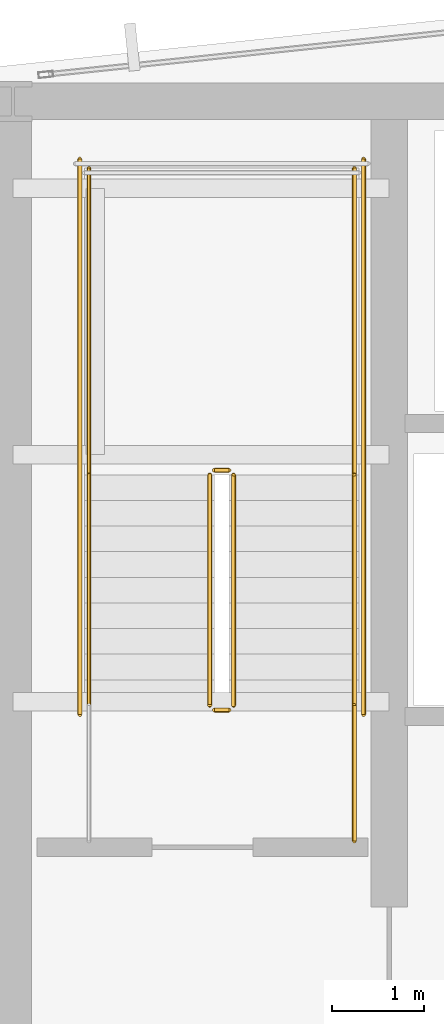
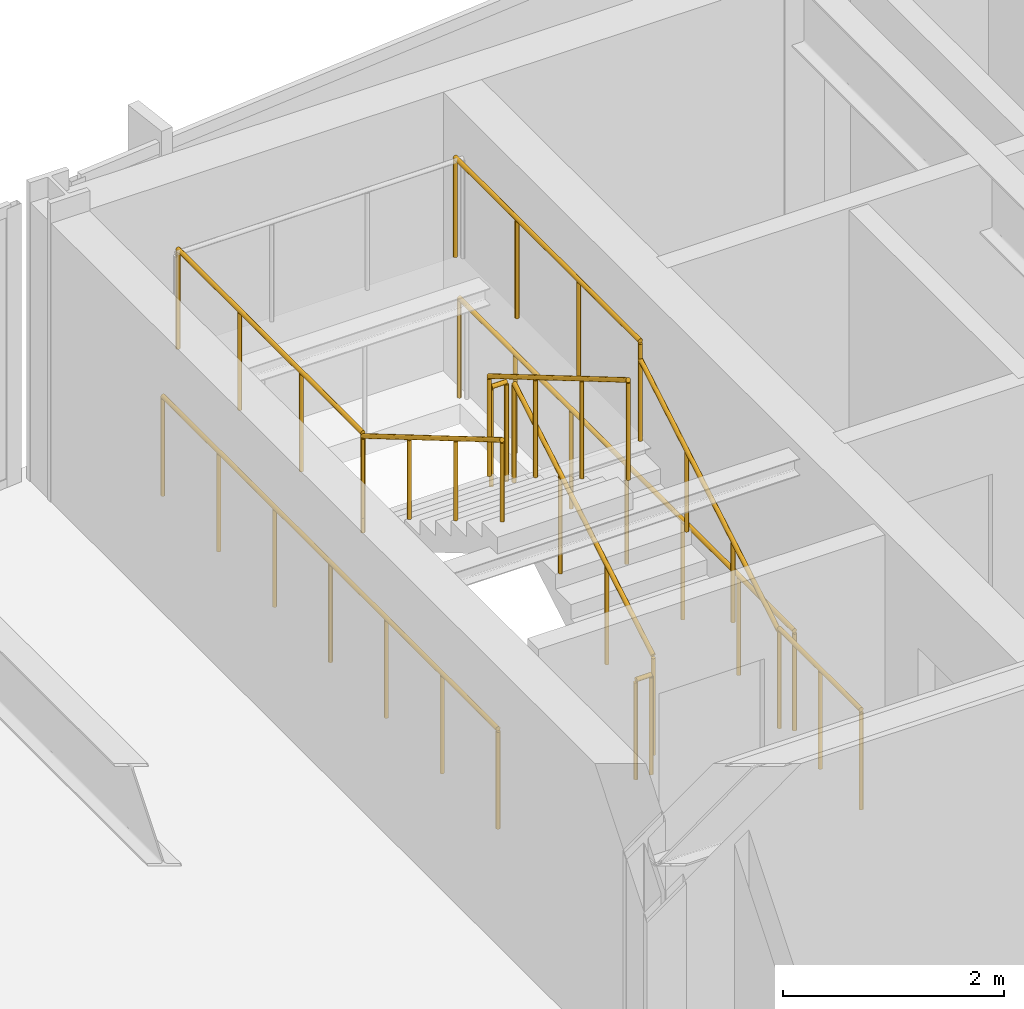
# One storey, part 30 of 32: 11 railings.
"""IFC4 building model written with IfcOpenShell, lengths in metres."""

import ifcopenshell
import ifcopenshell.guid

model = None  # the IFC model being written
_history = None  # IfcOwnerHistory: only IFC2X3 demands one
_inside = {}  # id of a spatial element -> (the spatial element, [elements in it])
_under = {}  # id of a project, library or spatial element -> (it, [spatial elements below it])
_declared = {}  # id of a project -> (the project, [libraries it declares])
_typed = {}  # id of a type object -> (the type object, [elements of that type])
_made_of = {}  # id of a material, layer set ... -> (it, [elements and type objects made of it])


def new_model(schema):
    """Start an empty IFC model of exactly this schema.

    Asked for "IFC4X3", IfcOpenShell would pick the latest addendum, in which some entities
    have other attributes; the version numbers below select the first issue.
    IFC2X3 requires an IfcOwnerHistory on every rooted entity: one is made here for all.
    """
    global model, _history
    if schema == "IFC4X3":
        model = ifcopenshell.file(schema_version=(4, 3, 0, 0))
    else:
        model = ifcopenshell.file(schema=schema)
    _inside.clear()
    _under.clear()
    _declared.clear()
    _typed.clear()
    _made_of.clear()
    _history = None
    if model.schema == "IFC2X3":
        org = make("IfcOrganization", Name="unknown")
        user = make(
            "IfcPersonAndOrganization",
            ThePerson=make("IfcPerson", FamilyName="unknown"),
            TheOrganization=org,
        )
        app = make(
            "IfcApplication",
            ApplicationDeveloper=org,
            Version="unknown",
            ApplicationFullName="unknown",
            ApplicationIdentifier="unknown",
        )
        _history = make(
            "IfcOwnerHistory",
            OwningUser=user,
            OwningApplication=app,
            ChangeAction="ADDED",
            CreationDate=0,
        )
    return model


def make(cls, **values):
    """One entity of the class cls with the attributes given. An attribute that is None is left unset."""
    return model.create_entity(
        cls, **{name: value for name, value in values.items() if value is not None}
    )


def rooted(cls, **values):
    """An entity with a GlobalId (a new one), such as an element, a storey or a relation."""
    return make(cls, GlobalId=ifcopenshell.guid.new(), OwnerHistory=_history, **values)


def si_unit(unit_type, name, prefix=None):
    """IfcSIUnit, for example si_unit("LENGTHUNIT", "METRE", prefix="MILLI")."""
    return make("IfcSIUnit", UnitType=unit_type, Prefix=prefix, Name=name)


def assignment(units):
    """IfcUnitAssignment: the units of a project."""
    return None if units is None else make("IfcUnitAssignment", Units=units)


def point(xyz):
    """IfcCartesianPoint."""
    return None if xyz is None else make("IfcCartesianPoint", Coordinates=xyz)


def direction(xyz):
    """IfcDirection."""
    return None if xyz is None else make("IfcDirection", DirectionRatios=xyz)


def frame(location, z_axis=None, x_axis=None):
    """IfcAxis2Placement3D, a coordinate frame: its origin and axes. An axis left out is left unset."""
    return make(
        "IfcAxis2Placement3D",
        Location=point(location),
        Axis=direction(z_axis),
        RefDirection=direction(x_axis),
    )


def frame_2d(location, x_axis=None):
    """IfcAxis2Placement2D, a coordinate frame in the plane: its origin and x axis."""
    return make(
        "IfcAxis2Placement2D", Location=point(location), RefDirection=direction(x_axis)
    )


def origin():
    """The frame at (0, 0, 0) with its axes left unset."""
    return frame((0.0, 0.0, 0.0))


def origin_2d():
    """The frame at (0, 0) in the plane with its x axis left unset."""
    return frame_2d((0.0, 0.0))


def place(relative_to, where):
    """IfcLocalPlacement: puts the frame where relative to a parent placement (None: the world)."""
    return make(
        "IfcLocalPlacement", PlacementRelTo=relative_to, RelativePlacement=where
    )


def context(
    kind, dimensions, precision=None, world=None, true_north=None, identifier=None
):
    """IfcGeometricRepresentationContext, for example the 3D "Model" context."""
    return make(
        "IfcGeometricRepresentationContext",
        ContextIdentifier=identifier,
        ContextType=kind,
        CoordinateSpaceDimension=dimensions,
        Precision=precision,
        WorldCoordinateSystem=world,
        TrueNorth=true_north,
    )


def subcontext(parent, identifier, kind, view, scale=None):
    """IfcGeometricRepresentationSubContext, for example "Body" below "Model"."""
    return make(
        "IfcGeometricRepresentationSubContext",
        ContextIdentifier=identifier,
        ContextType=kind,
        ParentContext=parent,
        TargetScale=scale,
        TargetView=view,
    )


def project(units=None, contexts=None):
    """IfcProject with its units and contexts."""
    return rooted(
        "IfcProject",
        Name="project",
        RepresentationContexts=contexts,
        UnitsInContext=assignment(units),
    )


def spatial(cls, under=None, at=None, **own):
    """A site, building, storey or space (cls), placed at a placement, below another one or the project."""
    s = rooted(cls, ObjectPlacement=at, **own)
    if under is not None:
        _under.setdefault(under.id(), (under, []))[1].append(s)
    return s


def profile(cls, at=None, kind="AREA", **sizes):
    """A parametric profile (cls). Its sizes go by their IFC names, for example OverallWidth=200.0."""
    return make(cls, ProfileType=kind, Position=at, **sizes)


def circle(**sizes):
    """IfcCircleProfileDef."""
    return profile("IfcCircleProfileDef", **sizes)


def extrude(swept, where, along, depth):
    """IfcExtrudedAreaSolid: the profile swept, set in the frame where, extruded along a direction by depth."""
    return make(
        "IfcExtrudedAreaSolid",
        SweptArea=swept,
        Position=where,
        ExtrudedDirection=direction(along),
        Depth=depth,
    )


def shape(context_of_items, identifier, shape_type, items):
    """IfcShapeRepresentation: the items that make up one representation, for example the "Body"."""
    return make(
        "IfcShapeRepresentation",
        ContextOfItems=context_of_items,
        RepresentationIdentifier=identifier,
        RepresentationType=shape_type,
        Items=items,
    )


def material(Name=None, Category=None):
    """IfcMaterial."""
    return make("IfcMaterial", Name=Name, Category=Category)


def layer(
    of_material, thickness, ventilated=None, Name=None, Category=None, Priority=None
):
    """IfcMaterialLayer: one layer of a wall or slab, of a material (None: an air gap)."""
    return make(
        "IfcMaterialLayer",
        Material=of_material,
        LayerThickness=thickness,
        IsVentilated=ventilated,
        Name=Name,
        Category=Category,
        Priority=Priority,
    )


def layer_set(layers, Name=None):
    """IfcMaterialLayerSet."""
    return make("IfcMaterialLayerSet", MaterialLayers=layers, LayerSetName=Name)


def made_of(thing, what):
    """Note that an element or type object is made of a material, layer set ...; save() writes the relation."""
    if what is not None:
        _made_of.setdefault(what.id(), (what, []))[1].append(thing)
    return thing


def type_object(cls, material=None, **own):
    """A type object (cls), such as IfcWallType, which elements share."""
    return made_of(rooted(cls, **own), material)


def element(
    cls,
    number,
    at=None,
    inside=None,
    cuts=None,
    type_object=None,
    material=None,
    context=None,
    identifier="Body",
    shape_type=None,
    held_by="IfcProductDefinitionShape",
    body=None,
    shapes=None,
    **own,
):
    """One element of the class cls, such as IfcWall. Its Tag is "e" and its number.

    at: its placement. inside: the storey or other place that contains it. cuts: it is an
    opening in that element (IfcRelVoidsElement). A single representation is given by context,
    identifier, shape_type and body (its items); several are given by shapes. held_by: the class
    of the entity that holds the representations. save() writes the other relations.
    """
    e = rooted(cls, Tag="e%d" % number, ObjectPlacement=at, **own)
    if body is not None:
        shapes = [shape(context, identifier, shape_type, body)]
    if shapes is not None:
        e.Representation = make(held_by, Representations=shapes)
    if inside is not None:
        _inside.setdefault(inside.id(), (inside, []))[1].append(e)
    if cuts is not None:
        rooted(
            "IfcRelVoidsElement", RelatingBuildingElement=cuts, RelatedOpeningElement=e
        )
    if type_object is not None:
        _typed.setdefault(type_object.id(), (type_object, []))[1].append(e)
    return made_of(e, material)


def aggregate(whole, parts):
    """IfcRelAggregates: a whole, such as a stair, and the parts it consists of."""
    return rooted("IfcRelAggregates", RelatingObject=whole, RelatedObjects=parts)


def save(model, path):
    """Write the relations noted so far, then the file.

    IfcRelAggregates (storeys below a building ...), IfcRelContainedInSpatialStructure (elements
    in a storey), IfcRelDefinesByType, IfcRelAssociatesMaterial and IfcRelDeclares: one each for
    every whole, place, type object, material and project.
    """
    for whole, parts in _under.values():
        aggregate(whole, parts)
    for where, things in _inside.values():
        rooted(
            "IfcRelContainedInSpatialStructure",
            RelatedElements=things,
            RelatingStructure=where,
        )
    for kind, things in _typed.values():
        rooted("IfcRelDefinesByType", RelatedObjects=things, RelatingType=kind)
    for what, things in _made_of.values():
        rooted("IfcRelAssociatesMaterial", RelatedObjects=things, RelatingMaterial=what)
    for by, libraries in _declared.values():
        rooted("IfcRelDeclares", RelatingContext=by, RelatedDefinitions=libraries)
    model.write(path)


model = new_model("IFC4")

# Units and contexts
model_context = context("Model", 3, precision=1e-05, world=origin(), true_north=direction((0.0, 1.0)))
body_context = subcontext(model_context, "Body", "Model", "MODEL_VIEW")
ifc_project = project(units=[si_unit("LENGTHUNIT", "METRE"), si_unit("AREAUNIT", "SQUARE_METRE"), si_unit("VOLUMEUNIT", "CUBIC_METRE"), si_unit("PLANEANGLEUNIT", "RADIAN"), si_unit("MASSUNIT", "GRAM", prefix="KILO")], contexts=[model_context])

# Site, building, storey
site_placement = place(None, origin())
site = spatial("IfcSite", under=ifc_project, at=site_placement, CompositionType="ELEMENT")
building_placement = place(site_placement, origin())
building = spatial("IfcBuilding", under=site, at=building_placement, Name="Yelkora Congress Tower", CompositionType="ELEMENT")
storey_placement = place(building_placement, frame((0.0, 0.0, 214.39990234375)))
storey = spatial("IfcBuildingStorey", under=building, at=storey_placement, Name="L59", CompositionType="ELEMENT", Elevation=214.39990234375)

# Railings
ifc_material_1 = material(Name="Painted galvanised steel stair well guard with vertical infill", Category="steel")
ifc_layer_1 = layer(ifc_material_1, 0.06005859375)
ifc_layer_set_1 = layer_set([ifc_layer_1], Name="Painted galvanised steel stair well guard with vertical infill")
railing_type_1 = type_object("IfcRailingType", Name="RAIL-STAIR-GUARD-1120", PredefinedType="GUARDRAIL", material=ifc_layer_set_1)
railing_1_placement = place(storey_placement, frame((25.449951171875, 39.60009765625, 0.1650390625)))
element("IfcRailing", 1, at=railing_1_placement, inside=storey, type_object=railing_type_1, Name="ST-01 L59 Stair Well Guardrail 1", PredefinedType="GUARDRAIL", context=body_context, shape_type="SweptSolid", body=[
    extrude(circle(Radius=0.02392578125, at=origin_2d()), frame((0.0, 0.0, 1.09619140625), z_axis=(0.0, 0.86152411907, 0.507716645641), x_axis=(-1.0, 0.0, 0.0)), (0.0, 0.0, 1.0), 2.925048828125),
    extrude(circle(Radius=0.02099609375, at=origin_2d()), origin(), (0.0, 0.0, 1.0), 1.072021484375),
    extrude(circle(Radius=0.02099609375, at=origin_2d()), frame((0.0, 0.840087890625, 0.4951171875)), (0.0, 0.0, 1.0), 1.072021484375),
    extrude(circle(Radius=0.02099609375, at=origin_2d()), frame((0.0, 1.679931640625, 0.989990234375)), (0.0, 0.0, 1.0), 1.072021484375),
    extrude(circle(Radius=0.02099609375, at=origin_2d()), frame((0.0, 2.52001953125, 1.485107421875)), (0.0, 0.0, 1.0), 1.072021484375),
])
railing_2_placement = place(storey_placement, frame((25.39990234375, 42.169921875, 1.650146484375)))
element("IfcRailing", 2, at=railing_2_placement, inside=storey, type_object=railing_type_1, Name="ST-01 L59 Stair Well Guardrail 2", PredefinedType="GUARDRAIL", context=body_context, shape_type="SweptSolid", body=[
    extrude(circle(Radius=0.02392578125, at=origin_2d()), frame((0.0, 0.0, 1.09619140625), z_axis=(-1.0, 0.0, 0.0), x_axis=(0.0, -1.0, 0.0)), (0.0, 0.0, 1.0), 0.159912109375),
    extrude(circle(Radius=0.02099609375, at=origin_2d()), origin(), (0.0, 0.0, 1.0), 1.072021484375),
    extrude(circle(Radius=0.02099609375, at=origin_2d()), frame((-0.159912109375, 0.0, 0.0)), (0.0, 0.0, 1.0), 1.072021484375),
])
for number, where, name in (
    (3, (26.77001953125, 42.1201171875, 1.650146484375), "ST-01 L59 Stair Well Guardrail 3"),
    (4, (23.8701171875, 42.1201171875, 1.650146484375), "ST-01 L59 Stair Well Guardrail 4"),
):
    element("IfcRailing", number, at=place(storey_placement, frame(where)), inside=storey, type_object=railing_type_1, Name=name, PredefinedType="GUARDRAIL", context=body_context, shape_type="SweptSolid", body=[
        extrude(circle(Radius=0.02392578125, at=origin_2d()), frame((0.0, 0.0, 1.09619140625), z_axis=(0.0, 1.0, 0.0), x_axis=(-1.0, 0.0, 0.0)), (0.0, 0.0, 1.0), 3.349853515625),
        extrude(circle(Radius=0.02099609375, at=origin_2d()), origin(), (0.0, 0.0, 1.0), 1.072021484375),
        extrude(circle(Radius=0.02099609375, at=origin_2d()), frame((0.0, 1.11669921875, 0.0)), (0.0, 0.0, 1.0), 1.072021484375),
        extrude(circle(Radius=0.02099609375, at=origin_2d()), frame((0.0, 2.233154296875, 0.0)), (0.0, 0.0, 1.0), 1.072021484375),
        extrude(circle(Radius=0.02099609375, at=origin_2d()), frame((0.0, 3.349853515625, 0.0)), (0.0, 0.0, 1.0), 1.072021484375),
    ])
railing_3_placement = place(storey_placement, frame((25.18994140625, 42.1201171875, 1.815185546875)))
element("IfcRailing", 5, at=railing_3_placement, inside=storey, type_object=railing_type_1, Name="ST-01 L59 Stair Well Guardrail 6", PredefinedType="GUARDRAIL", context=body_context, shape_type="SweptSolid", body=[
    extrude(circle(Radius=0.02392578125, at=origin_2d()), frame((0.0, 0.0, 1.09619140625), z_axis=(0.0, -0.861560626758, 0.507654692109), x_axis=(1.0, 0.0, 0.0)), (0.0, 0.0, 1.0), 2.925048828125),
    extrude(circle(Radius=0.02099609375, at=origin_2d()), origin(), (0.0, 0.0, 1.0), 1.072021484375),
    extrude(circle(Radius=0.02099609375, at=origin_2d()), frame((0.0, -0.840087890625, 0.494873046875)), (0.0, 0.0, 1.0), 1.072021484375),
    extrude(circle(Radius=0.02099609375, at=origin_2d()), frame((0.0, -1.679931640625, 0.989990234375)), (0.0, 0.0, 1.0), 1.072021484375),
    extrude(circle(Radius=0.02099609375, at=origin_2d()), frame((0.0, -2.52001953125, 1.48486328125)), (0.0, 0.0, 1.0), 1.072021484375),
])
railing_4_placement = place(storey_placement, frame((25.39990234375, 39.550048828125, 0.0)))
element("IfcRailing", 6, at=railing_4_placement, inside=storey, type_object=railing_type_1, Name="ST-01 L59 Stair Well Guardrail 7", PredefinedType="GUARDRAIL", context=body_context, shape_type="SweptSolid", body=[
    extrude(circle(Radius=0.02392578125, at=origin_2d()), frame((0.0, 0.0, 1.09619140625), z_axis=(-1.0, 0.0, 0.0), x_axis=(0.0, -1.0, 0.0)), (0.0, 0.0, 1.0), 0.159912109375),
    extrude(circle(Radius=0.02099609375, at=origin_2d()), origin(), (0.0, 0.0, 1.0), 1.072021484375),
    extrude(circle(Radius=0.02099609375, at=origin_2d()), frame((-0.159912109375, 0.0, 0.0)), (0.0, 0.0, 1.0), 1.072021484375),
])
railing_5_placement = place(storey_placement, frame((26.77001953125, 38.1201171875, 0.0)))
element("IfcRailing", 7, at=railing_5_placement, inside=storey, type_object=railing_type_1, Name="ST-01 L59 Stair Well Guardrail 8", PredefinedType="GUARDRAIL", context=body_context, shape_type="SweptSolid", body=[
    extrude(circle(Radius=0.02392578125, at=origin_2d()), frame((0.0, 0.0, 1.09619140625), z_axis=(0.0, 1.0, 0.0), x_axis=(-1.0, 0.0, 0.0)), (0.0, 0.0, 1.0), 1.47998046875),
    extrude(circle(Radius=0.02099609375, at=origin_2d()), origin(), (0.0, 0.0, 1.0), 1.072021484375),
    extrude(circle(Radius=0.02099609375, at=origin_2d()), frame((0.0, 0.739990234375, 0.0)), (0.0, 0.0, 1.0), 1.072021484375),
    extrude(circle(Radius=0.02099609375, at=origin_2d()), frame((0.0, 1.47998046875, 0.0)), (0.0, 0.0, 1.0), 1.072021484375),
])
for number, where, name in (
    (8, (26.8701171875, 39.5, 0.0), "ST-01 L59 Stair Well Guardrail 10"),
    (9, (23.77001953125, 39.5, 0.0), "ST-01 L59 Stair Well Guardrail 11"),
):
    element("IfcRailing", number, at=place(storey_placement, frame(where)), inside=storey, type_object=railing_type_1, Name=name, PredefinedType="GUARDRAIL", context=body_context, shape_type="SweptSolid", body=[
        extrude(circle(Radius=0.02392578125, at=origin_2d()), frame((0.0, 0.0, 1.09619140625), z_axis=(0.0, 1.0, 0.0), x_axis=(-1.0, 0.0, 0.0)), (0.0, 0.0, 1.0), 6.070068359375),
        extrude(circle(Radius=0.02099609375, at=origin_2d()), origin(), (0.0, 0.0, 1.0), 1.072021484375),
        extrude(circle(Radius=0.02099609375, at=origin_2d()), frame((0.0, 1.01171875, 0.0)), (0.0, 0.0, 1.0), 1.072021484375),
        extrude(circle(Radius=0.02099609375, at=origin_2d()), frame((0.0, 2.0234375, 0.0)), (0.0, 0.0, 1.0), 1.072021484375),
        extrude(circle(Radius=0.02099609375, at=origin_2d()), frame((0.0, 3.03515625, 0.0)), (0.0, 0.0, 1.0), 1.072021484375),
        extrude(circle(Radius=0.02099609375, at=origin_2d()), frame((0.0, 4.046630859375, 0.0)), (0.0, 0.0, 1.0), 1.072021484375),
        extrude(circle(Radius=0.02099609375, at=origin_2d()), frame((0.0, 5.058349609375, 0.0)), (0.0, 0.0, 1.0), 1.072021484375),
        extrude(circle(Radius=0.02099609375, at=origin_2d()), frame((0.0, 6.070068359375, 0.0)), (0.0, 0.0, 1.0), 1.072021484375),
    ])
ifc_material_2 = material(Name="Brushed stainless steel tubular handrail", Category="steel")
ifc_layer_2 = layer(ifc_material_2, 0.050048828125)
ifc_layer_set_2 = layer_set([ifc_layer_2], Name="Brushed stainless steel tubular handrail")
railing_type_2 = type_object("IfcRailingType", Name="RAIL-STAIR-HAND-920", PredefinedType="HANDRAIL", material=ifc_layer_set_2)
railing_6_placement = place(storey_placement, frame((26.77001953125, 39.60009765625, 0.1650390625)))
element("IfcRailing", 10, at=railing_6_placement, inside=storey, type_object=railing_type_2, Name="ST-01 L59 Pitch Handrail 1", PredefinedType="HANDRAIL", context=body_context, shape_type="SweptSolid", body=[
    extrude(circle(Radius=0.02392578125, at=origin_2d()), frame((0.0, 0.0, 0.89599609375), z_axis=(0.0, 0.86152411907, 0.507716645641), x_axis=(-1.0, 0.0, 0.0)), (0.0, 0.0, 1.0), 2.925048828125),
    extrude(circle(Radius=0.02099609375, at=origin_2d()), origin(), (0.0, 0.0, 1.0), 0.871826171875),
    extrude(circle(Radius=0.02099609375, at=origin_2d()), frame((0.0, 0.840087890625, 0.4951171875)), (0.0, 0.0, 1.0), 0.871826171875),
    extrude(circle(Radius=0.02099609375, at=origin_2d()), frame((0.0, 1.679931640625, 0.989990234375)), (0.0, 0.0, 1.0), 0.871826171875),
    extrude(circle(Radius=0.02099609375, at=origin_2d()), frame((0.0, 2.52001953125, 1.485107421875)), (0.0, 0.0, 1.0), 0.871826171875),
])
railing_7_placement = place(storey_placement, frame((23.8701171875, 42.1201171875, 1.815185546875)))
element("IfcRailing", 11, at=railing_7_placement, inside=storey, type_object=railing_type_2, Name="ST-01 L59 Pitch Handrail 2", PredefinedType="HANDRAIL", context=body_context, shape_type="SweptSolid", body=[
    extrude(circle(Radius=0.02392578125, at=origin_2d()), frame((0.0, 0.0, 0.89599609375), z_axis=(0.0, -0.861560626758, 0.507654692109), x_axis=(1.0, 0.0, 0.0)), (0.0, 0.0, 1.0), 2.925048828125),
    extrude(circle(Radius=0.02099609375, at=origin_2d()), origin(), (0.0, 0.0, 1.0), 0.871826171875),
    extrude(circle(Radius=0.02099609375, at=origin_2d()), frame((0.0, -0.840087890625, 0.494873046875)), (0.0, 0.0, 1.0), 0.871826171875),
    extrude(circle(Radius=0.02099609375, at=origin_2d()), frame((0.0, -1.679931640625, 0.989990234375)), (0.0, 0.0, 1.0), 0.871826171875),
    extrude(circle(Radius=0.02099609375, at=origin_2d()), frame((0.0, -2.52001953125, 1.48486328125)), (0.0, 0.0, 1.0), 0.871826171875),
])

save(model, "model.ifc")
